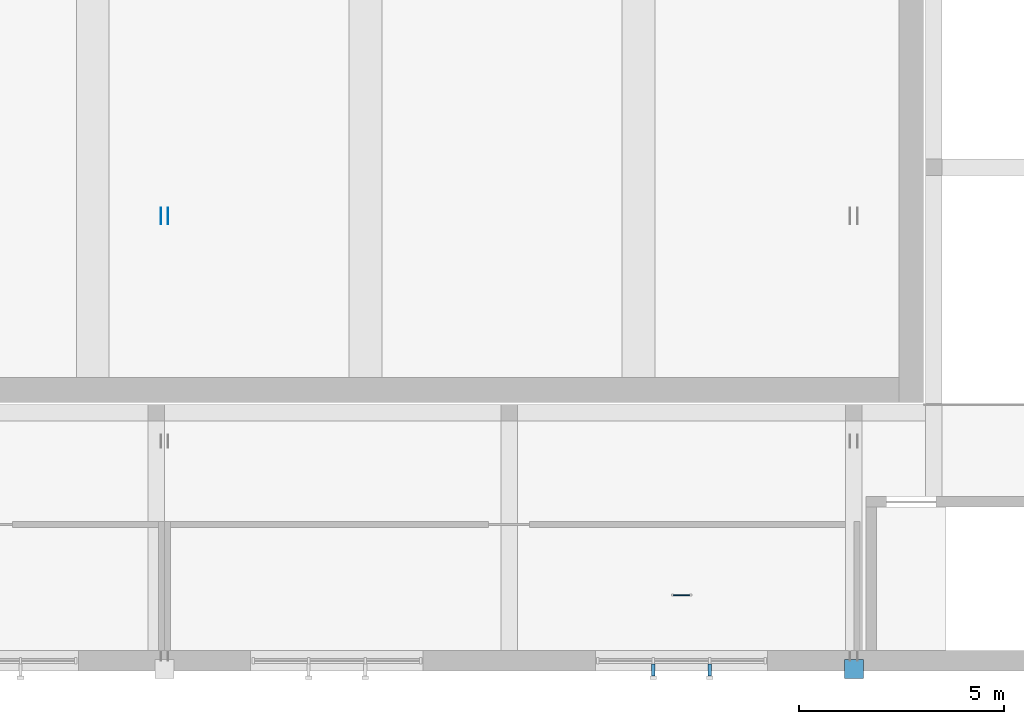
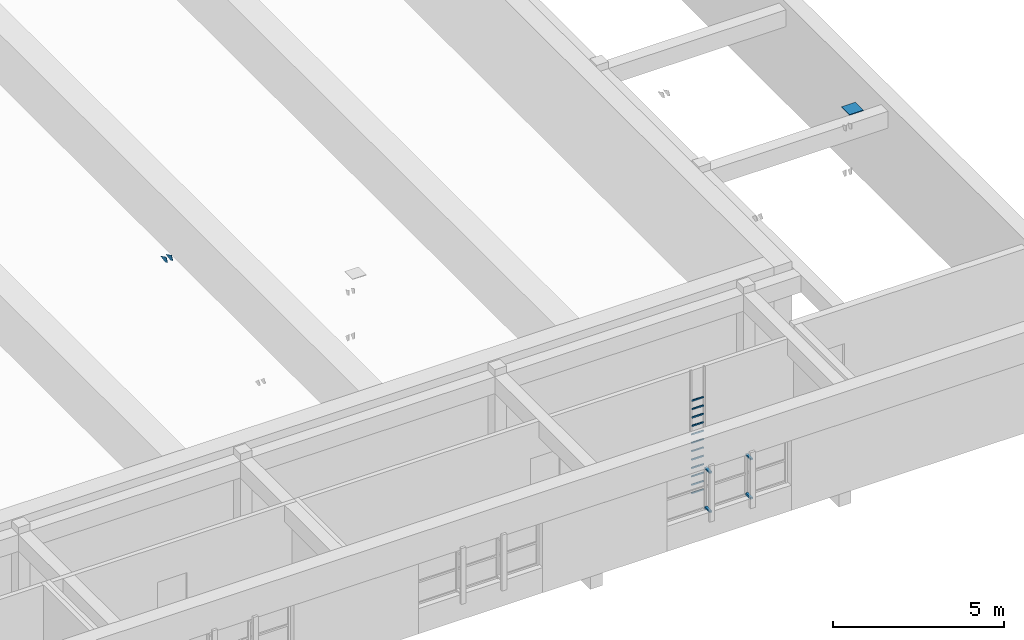
# One storey, part 18 of 28: 19 discrete accessories.
"""IFC4 building model written with IfcOpenShell, lengths in metres."""

from ifc_helpers import new_model, si_unit, direction, frame, origin, origin_2d, place, context, subcontext, project, spatial, polyline, rectangle, outline, extrude, material, layer, layer_set, type_object, element, save


model = new_model("IFC4")

# Units and contexts
model_context = context("Model", 3, precision=1e-05, world=origin(), true_north=direction((0.0, 1.0)))
body_context = subcontext(model_context, "Body", "Model", "MODEL_VIEW")
ifc_project = project(units=[si_unit("LENGTHUNIT", "METRE"), si_unit("AREAUNIT", "SQUARE_METRE"), si_unit("VOLUMEUNIT", "CUBIC_METRE"), si_unit("PLANEANGLEUNIT", "RADIAN"), si_unit("MASSUNIT", "GRAM", prefix="KILO")], contexts=[model_context])

# Site, building, storey
site_placement = place(None, origin())
site = spatial("IfcSite", under=ifc_project, at=site_placement, CompositionType="ELEMENT")
building_placement = place(site_placement, origin())
building = spatial("IfcBuilding", under=site, at=building_placement, Name="Ljudholm Concert House", CompositionType="ELEMENT")
storey_placement = place(building_placement, frame((0.0, 0.0, 19.199951171875)))
storey = spatial("IfcBuildingStorey", under=building, at=storey_placement, Name="L04", CompositionType="ELEMENT", Elevation=19.199951171875)

# Discrete accessories
ifc_material_1 = material(Name="Stainless steel bracket", Category="steel")
discrete_accessory_type_1 = type_object("IfcDiscreteAccessoryType", Name="BRACKET 290", PredefinedType="BRACKET", material=ifc_material_1)
for number, where, z_axis, x_axis, name in (
    (1, (83.110107421875, 54.175048828125, 0.969970703125), (0.0, 0.0, 1.0), (0.0, -1.0, 0.0), "Fin bracket"),
    (2, (83.110107421875, 54.175048828125, 2.3701171875), (0.0, 0.0, 1.0), (0.0, -1.0, 0.0), "Fin bracket"),
    (3, (84.489990234375, 54.175048828125, 0.969970703125), (0.0, 0.0, 1.0), (0.0, -1.0, 0.0), "Fin bracket"),
    (4, (84.489990234375, 54.175048828125, 2.3701171875), (0.0, 0.0, 1.0), (0.0, -1.0, 0.0), "Fin bracket"),
):
    element("IfcDiscreteAccessory", number, at=place(storey_placement, frame(where, z_axis=z_axis, x_axis=x_axis)), inside=storey, type_object=discrete_accessory_type_1, Name=name, PredefinedType="BRACKET", context=body_context, shape_type="SweptSolid", body=[
        extrude(rectangle(XDim=0.2900390625, YDim=0.080078125, at=origin_2d()), origin(), (0.0, 0.0, 1.0), 0.06005859375),
    ])
ifc_material_2 = material(Name="Steel ASTM A36 plate", Category="steel")
ifc_layer_1 = layer(ifc_material_2, 0.011962890625)
ifc_layer_set_1 = layer_set([ifc_layer_1], Name="Steel ASTM A36 plate")
discrete_accessory_type_2 = type_object("IfcDiscreteAccessoryType", Name="GUSSET PLATE 12", PredefinedType="BRACKET", material=ifc_layer_set_1)
for number, where, z_axis, x_axis, name in (
    (5, (71.10986328125, 54.440673828125, -19.199951171875), (0.0, 0.0, 1.0), (0.0, 1.0, 0.0), "Gusset plate"),
    (6, (71.2900390625, 54.440673828125, -19.199951171875), (0.0, 0.0, 1.0), (0.0, 1.0, 0.0), "Gusset plate"),
):
    element("IfcDiscreteAccessory", number, at=place(storey_placement, frame(where, z_axis=z_axis, x_axis=x_axis)), inside=storey, type_object=discrete_accessory_type_2, Name=name, PredefinedType="BRACKET", context=body_context, shape_type="SweptSolid", body=[
        extrude(outline(polyline([(10.67529296875, 26.78369140625), (11.003662109375, 26.620849609375), (10.735107421875, 26.566162109375), (10.6005859375, 26.6328125), (10.67529296875, 26.78369140625)])), frame((0.0, 0.005859375, 0.0), z_axis=(0.0, -1.0, 0.0), x_axis=(1.0, 0.0, 0.0)), (0.0, 0.0, 1.0), 0.011962890625),
    ])
ifc_material_3 = material(Name="Steel ASTM A36", Category="steel")
discrete_accessory_type_3 = type_object("IfcDiscreteAccessoryType", Name="LADDER RUNG 32", PredefinedType="USERDEFINED", material=ifc_material_3)
for number, where, z_axis, x_axis, name in (
    (7, (83.800048828125, 56.0, 0.2841796875), (0.0, 0.0, 1.0), (1.0, 0.0, 0.0), "Ladder rung"),
    (8, (83.800048828125, 56.0, 0.583984375), (0.0, 0.0, 1.0), (1.0, 0.0, 0.0), "Ladder rung"),
    (9, (83.800048828125, 56.0, 0.88427734375), (0.0, 0.0, 1.0), (1.0, 0.0, 0.0), "Ladder rung"),
    (10, (83.800048828125, 56.0, 1.18408203125), (0.0, 0.0, 1.0), (1.0, 0.0, 0.0), "Ladder rung"),
    (11, (83.800048828125, 56.0, 1.48388671875), (0.0, 0.0, 1.0), (1.0, 0.0, 0.0), "Ladder rung"),
    (12, (83.800048828125, 56.0, 1.7841796875), (0.0, 0.0, 1.0), (1.0, 0.0, 0.0), "Ladder rung"),
    (13, (83.800048828125, 56.0, 2.083984375), (0.0, 0.0, 1.0), (1.0, 0.0, 0.0), "Ladder rung"),
    (14, (83.800048828125, 56.0, 2.38427734375), (0.0, 0.0, 1.0), (1.0, 0.0, 0.0), "Ladder rung"),
    (15, (83.800048828125, 56.0, 2.68408203125), (0.0, 0.0, 1.0), (1.0, 0.0, 0.0), "Ladder rung"),
    (16, (83.800048828125, 56.0, 2.98388671875), (0.0, 0.0, 1.0), (1.0, 0.0, 0.0), "Ladder rung"),
    (17, (83.800048828125, 56.0, 3.2841796875), (0.0, 0.0, 1.0), (1.0, 0.0, 0.0), "Ladder rung"),
    (18, (83.800048828125, 56.0, 3.583984375), (0.0, 0.0, 1.0), (1.0, 0.0, 0.0), "Ladder rung"),
):
    element("IfcDiscreteAccessory", number, at=place(storey_placement, frame(where, z_axis=z_axis, x_axis=x_axis)), inside=storey, type_object=discrete_accessory_type_3, Name=name, ObjectType="FIXED LADDER", PredefinedType="USERDEFINED", context=body_context, shape_type="SweptSolid", body=[
        extrude(rectangle(XDim=0.39990234375, YDim=0.031982421875, at=origin_2d()), origin(), (0.0, 0.0, 1.0), 0.031982421875),
    ])
ifc_material_4 = material(Name="Steel ASTM A36 plate", Category="steel")
ifc_layer_2 = layer(ifc_material_4, 0.02490234375)
ifc_layer_set_2 = layer_set([ifc_layer_2], Name="Steel ASTM A36 plate")
discrete_accessory_type_4 = type_object("IfcDiscreteAccessoryType", Name="MAST CAP PLATE 25", PredefinedType="BRACKET", material=ifc_layer_set_2)
discrete_accessory_placement = place(storey_placement, frame((88.0, 54.199951171875, 13.5751953125), z_axis=(0.0, 0.0, 1.0), x_axis=(1.0, 0.0, 0.0)))
element("IfcDiscreteAccessory", 19, at=discrete_accessory_placement, inside=storey, type_object=discrete_accessory_type_4, Name="Mast cap plate", PredefinedType="BRACKET", context=body_context, shape_type="SweptSolid", body=[
    extrude(rectangle(XDim=0.46630859375, YDim=0.46630859375, at=origin_2d()), origin(), (0.0, 0.0, 1.0), 0.02490234375),
])

save(model, "model.ifc")
